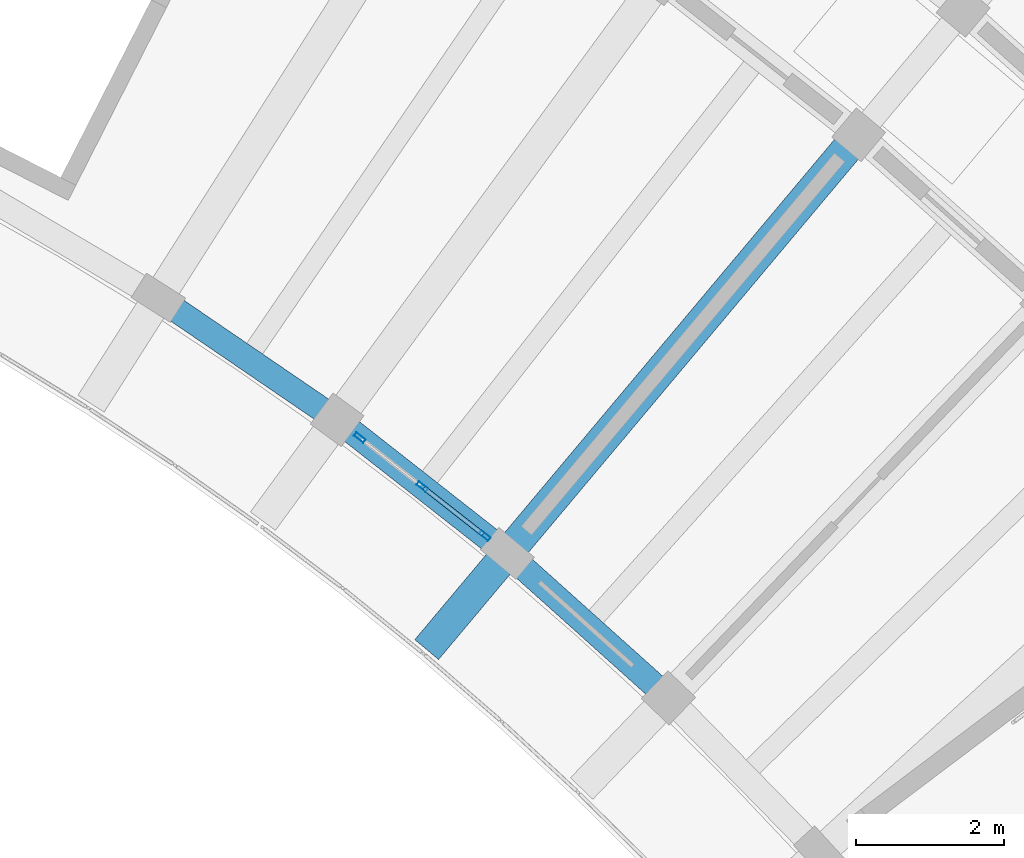
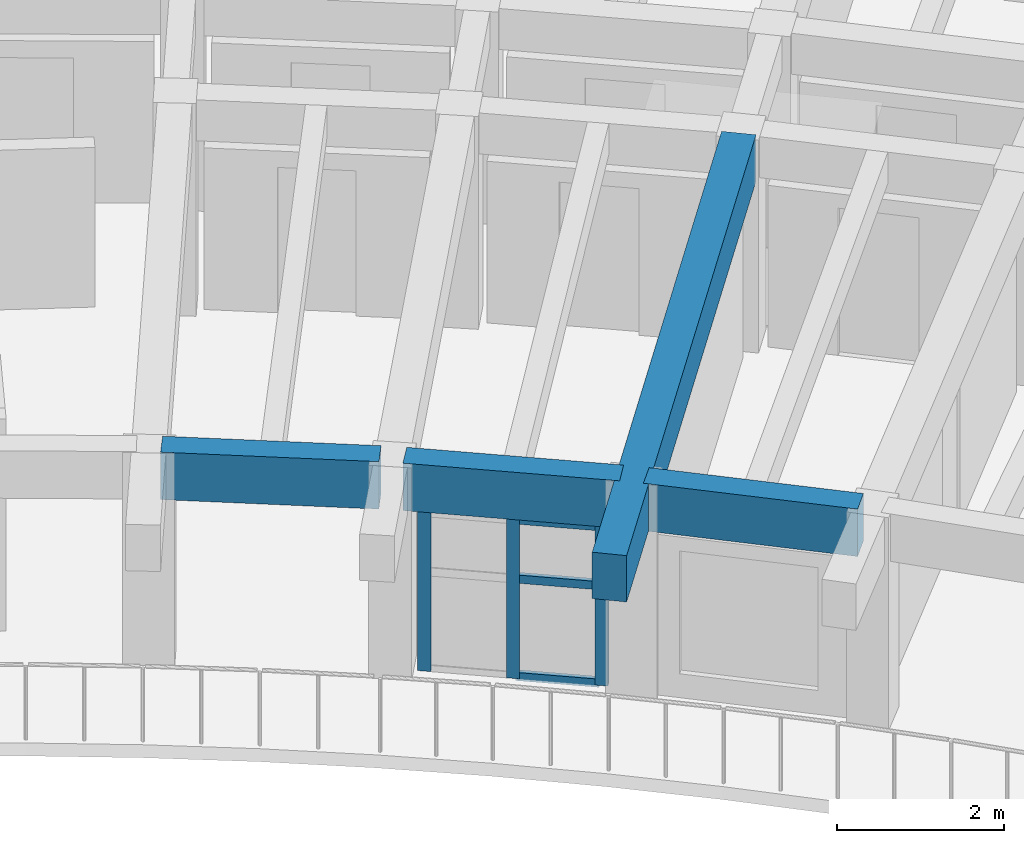
# One storey, part 9 of 36: 6 members, 4 beams, 1 element without a shape of its own.
"""IFC4 building model written with IfcOpenShell, lengths in metres."""

from ifc_helpers import new_model, si_unit, direction, frame, origin, origin_2d, place, context, subcontext, project, spatial, rectangle, hollow_rectangle, extrude, material, material_profile, profile_set, type_object, element, aggregate, save


model = new_model("IFC4")

# Units and contexts
model_context = context("Model", 3, precision=1e-05, world=origin(), true_north=direction((0.0, 1.0)))
body_context = subcontext(model_context, "Body", "Model", "MODEL_VIEW")
ifc_project = project(units=[si_unit("LENGTHUNIT", "METRE"), si_unit("AREAUNIT", "SQUARE_METRE"), si_unit("VOLUMEUNIT", "CUBIC_METRE"), si_unit("PLANEANGLEUNIT", "RADIAN"), si_unit("MASSUNIT", "GRAM", prefix="KILO")], contexts=[model_context])

# Site, building, storey
site_placement = place(None, origin())
site = spatial("IfcSite", under=ifc_project, at=site_placement, CompositionType="ELEMENT")
building_placement = place(site_placement, origin())
building = spatial("IfcBuilding", under=site, at=building_placement, Name="Tanwirah Colonnade Gardens", CompositionType="ELEMENT")
storey_placement = place(building_placement, frame((0.0, 0.0, 39.080078125)))
storey = spatial("IfcBuildingStorey", under=building, at=storey_placement, Name="L11", CompositionType="ELEMENT", Elevation=39.080078125)

# Beam
ifc_material_1 = material(Name="Precast concrete C45/55", Category="concrete")
ifc_material_profile_1 = material_profile(ifc_material_1, rectangle(XDim=0.419921875, YDim=0.679931640625, at=origin_2d()), Name="PC-BM 420x680")
ifc_profile_set_1 = profile_set([ifc_material_profile_1], Name="Precast concrete C45/55")
beam_type_1 = type_object("IfcBeamType", Name="BM-PC420", PredefinedType="BEAM", material=ifc_profile_set_1)
beam_placement = place(storey_placement, frame((154.232177734375, 99.804443359375, 2.780029296875), z_axis=(-0.64279407932, -0.766039014406, 0.0), x_axis=(0.766039014406, -0.64279407932, 0.0)))
element("IfcBeam", 1, at=beam_placement, inside=storey, type_object=beam_type_1, Name="Block B L11 Inner Radial Precast Girder 9", PredefinedType="BEAM", context=body_context, shape_type="SweptSolid", body=[
    extrude(rectangle(XDim=0.419921875, YDim=0.679931640625, at=origin_2d()), origin(), (0.0, 0.0, 1.0), 8.949951171875),
])

# Curtain wall, members
ifc_material_2 = material(Name="Bronze-anodised aluminium and solar-control low-E glass", Category="aluminium")
curtain_wall_type = type_object("IfcCurtainWallType", Name="CW-GDN", PredefinedType="NOTDEFINED", material=ifc_material_2)
curtain_wall_placement = place(storey_placement, origin())
curtain_wall = element("IfcCurtainWall", 2, at=curtain_wall_placement, inside=storey, type_object=curtain_wall_type, Name="Curtain Wall CW-B-L11-IN-09", PredefinedType="NOTDEFINED")
ifc_material_3 = material(Name="Bronze-anodised aluminium", Category="aluminium")
ifc_material_profile_2 = material_profile(ifc_material_3, hollow_rectangle(XDim=0.06005859375, YDim=0.159912109375, WallThickness=0.00390625, at=origin_2d()), Name="CW-MUL 60x160x4")
ifc_profile_set_2 = profile_set([ifc_material_profile_2], Name="Bronze-anodised aluminium")
member_type_1 = type_object("IfcMemberType", Name="CWM-60x160", PredefinedType="MULLION", material=ifc_profile_set_2)
member_1_placement = place(storey_placement, frame((149.26513671875, 94.491455078125, 0.0), z_axis=(0.0, 0.0, 1.0), x_axis=(-0.617188542982, -0.786815291166, 0.0)))
member_1 = element("IfcMember", 3, at=member_1_placement, type_object=member_type_1, Name="CW-GDN mullion 1", PredefinedType="MULLION", context=body_context, shape_type="SweptSolid", body=[
    extrude(hollow_rectangle(XDim=0.06005859375, YDim=0.159912109375, WallThickness=0.00390625, at=origin_2d()), origin(), (0.0, 0.0, 1.0), 2.35498046875),
])
member_2_placement = place(storey_placement, frame((148.419189453125, 95.155029296875, 0.0), z_axis=(0.0, 0.0, 1.0), x_axis=(-0.617188542982, -0.786815291166, 0.0)))
member_2 = element("IfcMember", 4, at=member_2_placement, type_object=member_type_1, Name="CW-GDN mullion 2", PredefinedType="MULLION", context=body_context, shape_type="SweptSolid", body=[
    extrude(hollow_rectangle(XDim=0.06005859375, YDim=0.159912109375, WallThickness=0.00390625, at=origin_2d()), origin(), (0.0, 0.0, 1.0), 2.35498046875),
])
member_3_placement = place(storey_placement, frame((147.5732421875, 95.818603515625, 0.0), z_axis=(0.0, 0.0, 1.0), x_axis=(-0.617188542982, -0.786815291166, 0.0)))
member_3 = element("IfcMember", 5, at=member_3_placement, type_object=member_type_1, Name="CW-GDN mullion 3", PredefinedType="MULLION", context=body_context, shape_type="SweptSolid", body=[
    extrude(hollow_rectangle(XDim=0.06005859375, YDim=0.159912109375, WallThickness=0.00390625, at=origin_2d()), origin(), (0.0, 0.0, 1.0), 2.35498046875),
])
ifc_material_profile_3 = material_profile(ifc_material_3, hollow_rectangle(XDim=0.06005859375, YDim=0.1201171875, WallThickness=0.00390625, at=origin_2d()), Name="CW-TRN 60x120x4")
ifc_profile_set_3 = profile_set([ifc_material_profile_3], Name="Bronze-anodised aluminium")
member_type_2 = type_object("IfcMemberType", Name="CWT-60x120", PredefinedType="USERDEFINED", material=ifc_profile_set_3)
member_4_placement = place(storey_placement, frame((149.241455078125, 94.510009765625, 0.030029296875), z_axis=(-0.786885474084, 0.617099060666, 0.0), x_axis=(-0.617099060666, -0.786885474084, 0.0)))
member_4 = element("IfcMember", 6, at=member_4_placement, type_object=member_type_2, Name="CW-GDN transom 1.1", ObjectType="TRANSOM", PredefinedType="USERDEFINED", context=body_context, shape_type="SweptSolid", body=[
    extrude(hollow_rectangle(XDim=0.06005859375, YDim=0.1201171875, WallThickness=0.00390625, at=origin_2d()), origin(), (0.0, 0.0, 1.0), 1.01513671875),
])
member_5_placement = place(storey_placement, frame((149.241455078125, 94.510009765625, 1.4599609375), z_axis=(-0.786885474084, 0.617099060666, 0.0), x_axis=(-0.617099060666, -0.786885474084, 0.0)))
member_5 = element("IfcMember", 7, at=member_5_placement, type_object=member_type_2, Name="CW-GDN transom 1.2", ObjectType="TRANSOM", PredefinedType="USERDEFINED", context=body_context, shape_type="SweptSolid", body=[
    extrude(hollow_rectangle(XDim=0.06005859375, YDim=0.1201171875, WallThickness=0.00390625, at=origin_2d()), origin(), (0.0, 0.0, 1.0), 1.01513671875),
])
member_6_placement = place(storey_placement, frame((149.241455078125, 94.510009765625, 2.324951171875), z_axis=(-0.786885474084, 0.617099060666, 0.0), x_axis=(-0.617099060666, -0.786885474084, 0.0)))
member_6 = element("IfcMember", 8, at=member_6_placement, type_object=member_type_2, Name="CW-GDN transom 1.3", ObjectType="TRANSOM", PredefinedType="USERDEFINED", context=body_context, shape_type="SweptSolid", body=[
    extrude(hollow_rectangle(XDim=0.06005859375, YDim=0.1201171875, WallThickness=0.00390625, at=origin_2d()), origin(), (0.0, 0.0, 1.0), 1.01513671875),
])
aggregate(curtain_wall, [member_1, member_2, member_3, member_4, member_5, member_6])

# Beams
ifc_material_4 = material(Name="Precast concrete C40/50", Category="concrete")
ifc_material_profile_4 = material_profile(ifc_material_4, rectangle(XDim=0.3349609375, YDim=0.695068359375, at=origin_2d()), Name="PC-SP 335x695")
ifc_profile_set_4 = profile_set([ifc_material_profile_4], Name="Precast concrete C40/50")
beam_type_2 = type_object("IfcBeamType", Name="SP-PC300", PredefinedType="SPANDREL", material=ifc_profile_set_4)
for number, where, z_axis, x_axis, name in (
    (9, (151.6416015625, 92.394287109375, 2.7724609375), (-0.744400790288, 0.667733077972, 0.0), (-0.667733077972, -0.744400790288, 0.0), "Block B L11 Circumferential Beam 8-R0"),
    (10, (149.453857421875, 94.34326171875, 2.7724609375), (-0.786836625031, 0.617161344795, 0.0), (-0.617161344795, -0.786836625031, 0.0), "Block B L11 Circumferential Beam 9-R0"),
    (11, (147.142578125, 96.143798828125, 2.7724609375), (-0.825800981874, 0.563961646158, 0.0), (-0.563961646158, -0.825800981874, 0.0), "Block B L11 Circumferential Beam 10-R0"),
):
    element("IfcBeam", number, at=place(storey_placement, frame(where, z_axis=z_axis, x_axis=x_axis)), inside=storey, type_object=beam_type_2, Name=name, PredefinedType="SPANDREL", context=body_context, shape_type="SweptSolid", body=[
        extrude(rectangle(XDim=0.3349609375, YDim=0.695068359375, at=origin_2d()), origin(), (0.0, 0.0, 1.0), 2.63037109375),
    ])

save(model, "model.ifc")
